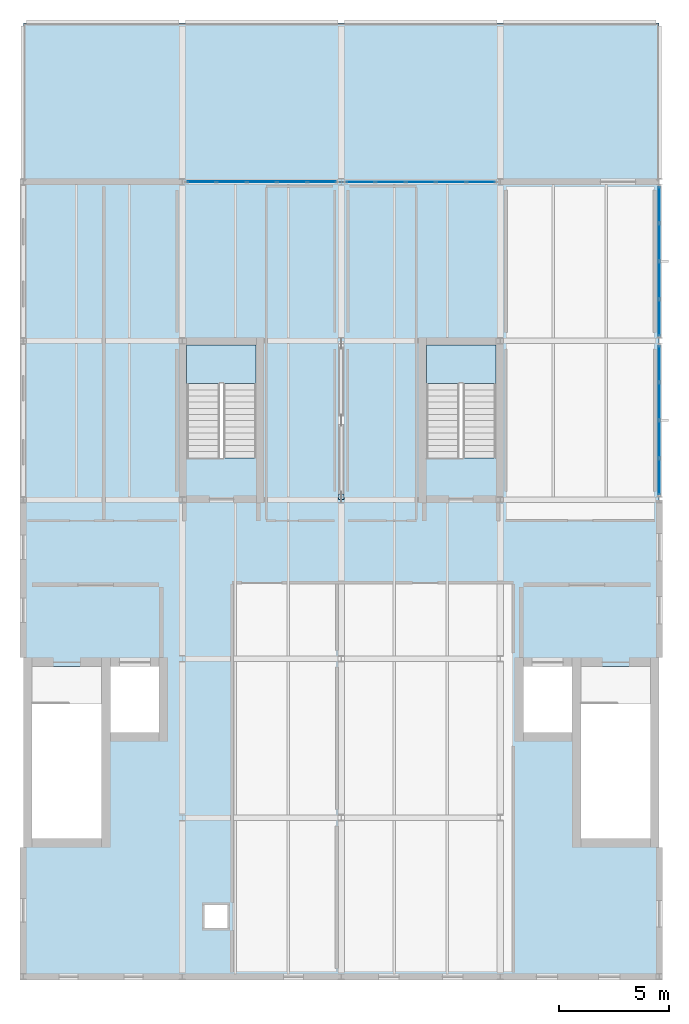
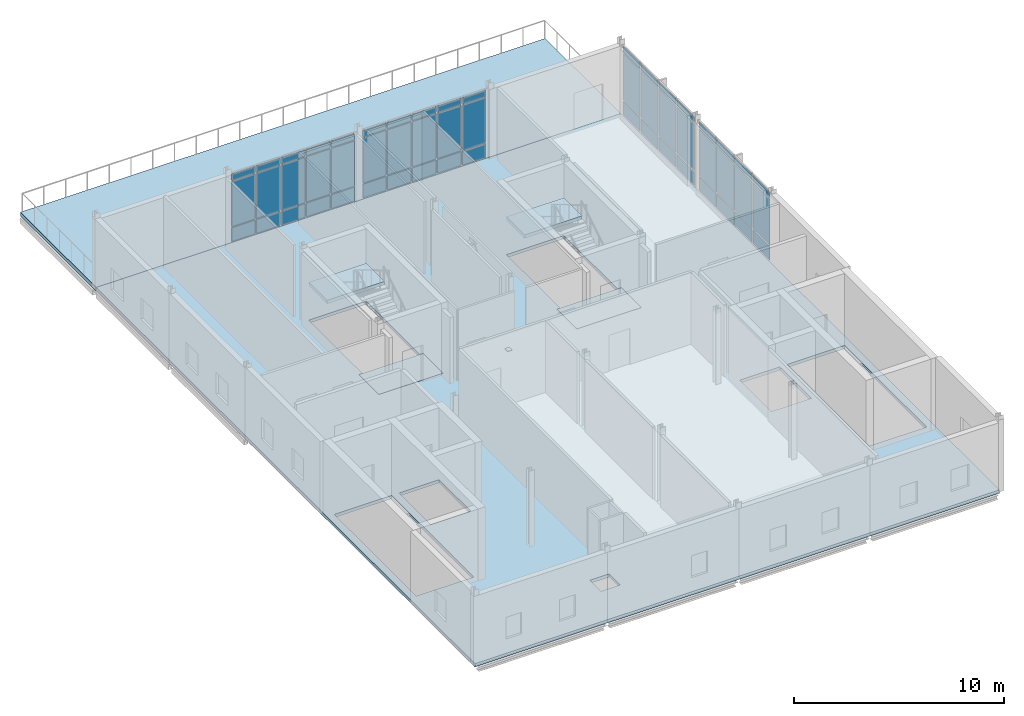
# One storey, part 6 of 12: 55 plates, 6 slabs, 6 elements without a shape of their own.
"""IFC4 building model written with IfcOpenShell, lengths in metres."""

from ifc_helpers import new_model, si_unit, direction, frame, origin, origin_2d, place, context, subcontext, project, spatial, polyline, rectangle, outline, extrude, material, layer, layer_set, type_object, element, aggregate, save


model = new_model("IFC4")

# Units and contexts
model_context = context("Model", 3, precision=1e-05, world=origin(), true_north=direction((0.0, 1.0)))
body_context = subcontext(model_context, "Body", "Model", "MODEL_VIEW")
ifc_project = project(units=[si_unit("LENGTHUNIT", "METRE"), si_unit("AREAUNIT", "SQUARE_METRE"), si_unit("VOLUMEUNIT", "CUBIC_METRE"), si_unit("PLANEANGLEUNIT", "RADIAN"), si_unit("MASSUNIT", "GRAM", prefix="KILO")], contexts=[model_context])

# Site, building, storey
site_placement = place(None, origin())
site = spatial("IfcSite", under=ifc_project, at=site_placement, CompositionType="ELEMENT")
building_placement = place(site_placement, origin())
building = spatial("IfcBuilding", under=site, at=building_placement, Name="Zarrinpeak Specialist Clinic", CompositionType="ELEMENT")
storey_placement = place(building_placement, frame((0.0, 0.0, 27.199951171875)))
storey = spatial("IfcBuildingStorey", under=building, at=storey_placement, Name="L06", CompositionType="ELEMENT", Elevation=27.199951171875)

# Curtain wall, plates
ifc_material_1 = material(Name="Anodised Aluminium Alloy 6063-T6", Category="aluminium")
ifc_layer_1 = layer(ifc_material_1, 0.1650390625)
ifc_layer_set_1 = layer_set([ifc_layer_1], Name="Anodised Aluminium Alloy 6063-T6")
curtain_wall_type_1 = type_object("IfcCurtainWallType", Name="CW-CLINIC", PredefinedType="NOTDEFINED", material=ifc_layer_set_1)
curtain_wall_1_placement = place(storey_placement, origin())
curtain_wall_1 = element("IfcCurtainWall", 1, at=curtain_wall_1_placement, inside=storey, type_object=curtain_wall_type_1, Name="L06 V1 Unitised Curtain Wall CW-L06-V1-037", PredefinedType="NOTDEFINED")
ifc_material_2 = material(Name="Double Low-E Insulated Glazing", Category="glass")
ifc_layer_2 = layer(ifc_material_2, 0.028076171875)
ifc_layer_set_2 = layer_set([ifc_layer_2], Name="Double Low-E Insulated Glazing")
plate_type_1 = type_object("IfcPlateType", Name="CWP-GLZ28", PredefinedType="CURTAIN_PANEL", material=ifc_layer_set_2)
plate_1_placement = place(storey_placement, frame((20.729248046875, 36.0, 0.074951171875), z_axis=(0.0, 0.0, 1.0), x_axis=(-1.0, 0.0, 0.0)))
plate_1 = element("IfcPlate", 2, at=plate_1_placement, type_object=plate_type_1, Name="CW-03 panel 1.1", PredefinedType="CURTAIN_PANEL", context=body_context, shape_type="SweptSolid", body=[
    extrude(rectangle(XDim=1.261474609375, YDim=0.028076171875, at=origin_2d()), origin(), (0.0, 0.0, 1.0), 0.78759765625),
])
plate_2_placement = place(storey_placement, frame((20.729248046875, 36.0, 0.9375), z_axis=(0.0, 0.0, 1.0), x_axis=(-1.0, 0.0, 0.0)))
plate_2 = element("IfcPlate", 3, at=plate_2_placement, type_object=plate_type_1, Name="CW-03 panel 1.2", PredefinedType="CURTAIN_PANEL", context=body_context, shape_type="SweptSolid", body=[
    extrude(rectangle(XDim=1.261474609375, YDim=0.028076171875, at=origin_2d()), origin(), (0.0, 0.0, 1.0), 2.610107421875),
])
plate_3_placement = place(storey_placement, frame((20.729248046875, 36.0, 3.62255859375), z_axis=(0.0, 0.0, 1.0), x_axis=(-1.0, 0.0, 0.0)))
plate_3 = element("IfcPlate", 4, at=plate_3_placement, type_object=plate_type_1, Name="CW-03 panel 1.3", PredefinedType="CURTAIN_PANEL", context=body_context, shape_type="SweptSolid", body=[
    extrude(rectangle(XDim=1.261474609375, YDim=0.028076171875, at=origin_2d()), origin(), (0.0, 0.0, 1.0), 0.33740234375),
])
plate_4_placement = place(storey_placement, frame((19.3740234375, 36.0, 0.074951171875), z_axis=(0.0, 0.0, 1.0), x_axis=(-1.0, 0.0, 0.0)))
plate_4 = element("IfcPlate", 5, at=plate_4_placement, type_object=plate_type_1, Name="CW-03 panel 2.1", PredefinedType="CURTAIN_PANEL", context=body_context, shape_type="SweptSolid", body=[
    extrude(rectangle(XDim=1.299072265625, YDim=0.028076171875, at=origin_2d()), origin(), (0.0, 0.0, 1.0), 0.78759765625),
])
plate_5_placement = place(storey_placement, frame((19.3740234375, 36.0, 0.9375), z_axis=(0.0, 0.0, 1.0), x_axis=(-1.0, 0.0, 0.0)))
plate_5 = element("IfcPlate", 6, at=plate_5_placement, type_object=plate_type_1, Name="CW-03 panel 2.2", PredefinedType="CURTAIN_PANEL", context=body_context, shape_type="SweptSolid", body=[
    extrude(rectangle(XDim=1.299072265625, YDim=0.028076171875, at=origin_2d()), origin(), (0.0, 0.0, 1.0), 2.610107421875),
])
plate_6_placement = place(storey_placement, frame((19.3740234375, 36.0, 3.62255859375), z_axis=(0.0, 0.0, 1.0), x_axis=(-1.0, 0.0, 0.0)))
plate_6 = element("IfcPlate", 7, at=plate_6_placement, type_object=plate_type_1, Name="CW-03 panel 2.3", PredefinedType="CURTAIN_PANEL", context=body_context, shape_type="SweptSolid", body=[
    extrude(rectangle(XDim=1.299072265625, YDim=0.028076171875, at=origin_2d()), origin(), (0.0, 0.0, 1.0), 0.33740234375),
])
plate_7_placement = place(storey_placement, frame((18.0, 36.0, 0.074951171875), z_axis=(0.0, 0.0, 1.0), x_axis=(-1.0, 0.0, 0.0)))
plate_7 = element("IfcPlate", 8, at=plate_7_placement, type_object=plate_type_1, Name="CW-03 panel 3.1", PredefinedType="CURTAIN_PANEL", context=body_context, shape_type="SweptSolid", body=[
    extrude(rectangle(XDim=1.299072265625, YDim=0.028076171875, at=origin_2d()), origin(), (0.0, 0.0, 1.0), 0.78759765625),
])
plate_8_placement = place(storey_placement, frame((18.0, 36.0, 0.9375), z_axis=(0.0, 0.0, 1.0), x_axis=(-1.0, 0.0, 0.0)))
plate_8 = element("IfcPlate", 9, at=plate_8_placement, type_object=plate_type_1, Name="CW-03 panel 3.2", PredefinedType="CURTAIN_PANEL", context=body_context, shape_type="SweptSolid", body=[
    extrude(rectangle(XDim=1.299072265625, YDim=0.028076171875, at=origin_2d()), origin(), (0.0, 0.0, 1.0), 2.610107421875),
])
plate_9_placement = place(storey_placement, frame((18.0, 36.0, 3.62255859375), z_axis=(0.0, 0.0, 1.0), x_axis=(-1.0, 0.0, 0.0)))
plate_9 = element("IfcPlate", 10, at=plate_9_placement, type_object=plate_type_1, Name="CW-03 panel 3.3", PredefinedType="CURTAIN_PANEL", context=body_context, shape_type="SweptSolid", body=[
    extrude(rectangle(XDim=1.299072265625, YDim=0.028076171875, at=origin_2d()), origin(), (0.0, 0.0, 1.0), 0.33740234375),
])
plate_10_placement = place(storey_placement, frame((16.6259765625, 36.0, 0.074951171875), z_axis=(0.0, 0.0, 1.0), x_axis=(-1.0, 0.0, 0.0)))
plate_10 = element("IfcPlate", 11, at=plate_10_placement, type_object=plate_type_1, Name="CW-03 panel 4.1", PredefinedType="CURTAIN_PANEL", context=body_context, shape_type="SweptSolid", body=[
    extrude(rectangle(XDim=1.299072265625, YDim=0.028076171875, at=origin_2d()), origin(), (0.0, 0.0, 1.0), 0.78759765625),
])
plate_11_placement = place(storey_placement, frame((16.6259765625, 36.0, 0.9375), z_axis=(0.0, 0.0, 1.0), x_axis=(-1.0, 0.0, 0.0)))
plate_11 = element("IfcPlate", 12, at=plate_11_placement, type_object=plate_type_1, Name="CW-03 panel 4.2", PredefinedType="CURTAIN_PANEL", context=body_context, shape_type="SweptSolid", body=[
    extrude(rectangle(XDim=1.299072265625, YDim=0.028076171875, at=origin_2d()), origin(), (0.0, 0.0, 1.0), 2.610107421875),
])
plate_12_placement = place(storey_placement, frame((16.6259765625, 36.0, 3.62255859375), z_axis=(0.0, 0.0, 1.0), x_axis=(-1.0, 0.0, 0.0)))
plate_12 = element("IfcPlate", 13, at=plate_12_placement, type_object=plate_type_1, Name="CW-03 panel 4.3", PredefinedType="CURTAIN_PANEL", context=body_context, shape_type="SweptSolid", body=[
    extrude(rectangle(XDim=1.299072265625, YDim=0.028076171875, at=origin_2d()), origin(), (0.0, 0.0, 1.0), 0.33740234375),
])
plate_13_placement = place(storey_placement, frame((15.270751953125, 36.0, 0.074951171875), z_axis=(0.0, 0.0, 1.0), x_axis=(-1.0, 0.0, 0.0)))
plate_13 = element("IfcPlate", 14, at=plate_13_placement, type_object=plate_type_1, Name="CW-03 panel 5.1", PredefinedType="CURTAIN_PANEL", context=body_context, shape_type="SweptSolid", body=[
    extrude(rectangle(XDim=1.261474609375, YDim=0.028076171875, at=origin_2d()), origin(), (0.0, 0.0, 1.0), 0.78759765625),
])
plate_14_placement = place(storey_placement, frame((15.270751953125, 36.0, 0.9375), z_axis=(0.0, 0.0, 1.0), x_axis=(-1.0, 0.0, 0.0)))
plate_14 = element("IfcPlate", 15, at=plate_14_placement, type_object=plate_type_1, Name="CW-03 panel 5.2", PredefinedType="CURTAIN_PANEL", context=body_context, shape_type="SweptSolid", body=[
    extrude(rectangle(XDim=1.261474609375, YDim=0.028076171875, at=origin_2d()), origin(), (0.0, 0.0, 1.0), 2.610107421875),
])
plate_15_placement = place(storey_placement, frame((15.270751953125, 36.0, 3.62255859375), z_axis=(0.0, 0.0, 1.0), x_axis=(-1.0, 0.0, 0.0)))
plate_15 = element("IfcPlate", 16, at=plate_15_placement, type_object=plate_type_1, Name="CW-03 panel 5.3", PredefinedType="CURTAIN_PANEL", context=body_context, shape_type="SweptSolid", body=[
    extrude(rectangle(XDim=1.261474609375, YDim=0.028076171875, at=origin_2d()), origin(), (0.0, 0.0, 1.0), 0.33740234375),
])
aggregate(curtain_wall_1, [plate_1, plate_2, plate_3, plate_4, plate_5, plate_6, plate_7, plate_8, plate_9, plate_10, plate_11, plate_12, plate_13, plate_14, plate_15])

ifc_layer_3 = layer(ifc_material_1, 0.179931640625)
ifc_layer_set_3 = layer_set([ifc_layer_3], Name="Anodised Aluminium Alloy 6063-T6")
curtain_wall_type_2 = type_object("IfcCurtainWallType", Name="CW-COURT", PredefinedType="NOTDEFINED", material=ifc_layer_set_3)
curtain_wall_2_placement = place(storey_placement, origin())
curtain_wall_2 = element("IfcCurtainWall", 17, at=curtain_wall_2_placement, inside=storey, type_object=curtain_wall_type_2, Name="L06 V1 Unitised Curtain Wall CW-L06-V1-038", PredefinedType="NOTDEFINED")
plate_16_placement = place(storey_placement, frame((28.800048828125, 22.642578125, 0.074951171875), z_axis=(0.0, 0.0, 1.0), x_axis=(0.0, 1.0, 0.0)))
plate_16 = element("IfcPlate", 18, at=plate_16_placement, type_object=plate_type_1, Name="CW-01 panel 1.1", PredefinedType="CURTAIN_PANEL", context=body_context, shape_type="SweptSolid", body=[
    extrude(rectangle(XDim=1.60498046875, YDim=0.028076171875, at=origin_2d()), origin(), (0.0, 0.0, 1.0), 0.78759765625),
])
plate_17_placement = place(storey_placement, frame((28.800048828125, 22.642578125, 0.9375), z_axis=(0.0, 0.0, 1.0), x_axis=(0.0, 1.0, 0.0)))
plate_17 = element("IfcPlate", 19, at=plate_17_placement, type_object=plate_type_1, Name="CW-01 panel 1.2", PredefinedType="CURTAIN_PANEL", context=body_context, shape_type="SweptSolid", body=[
    extrude(rectangle(XDim=1.60498046875, YDim=0.028076171875, at=origin_2d()), origin(), (0.0, 0.0, 1.0), 2.68505859375),
])
plate_18_placement = place(storey_placement, frame((28.800048828125, 22.642578125, 3.697509765625), z_axis=(0.0, 0.0, 1.0), x_axis=(0.0, 1.0, 0.0)))
plate_18 = element("IfcPlate", 20, at=plate_18_placement, type_object=plate_type_1, Name="CW-01 panel 1.3", PredefinedType="CURTAIN_PANEL", context=body_context, shape_type="SweptSolid", body=[
    extrude(rectangle(XDim=1.60498046875, YDim=0.028076171875, at=origin_2d()), origin(), (0.0, 0.0, 1.0), 0.33740234375),
])
plate_19_placement = place(storey_placement, frame((28.800048828125, 24.34130859375, 0.074951171875), z_axis=(0.0, 0.0, 1.0), x_axis=(0.0, 1.0, 0.0)))
plate_19 = element("IfcPlate", 21, at=plate_19_placement, type_object=plate_type_1, Name="CW-01 panel 2.1", PredefinedType="CURTAIN_PANEL", context=body_context, shape_type="SweptSolid", body=[
    extrude(rectangle(XDim=1.642578125, YDim=0.028076171875, at=origin_2d()), origin(), (0.0, 0.0, 1.0), 0.78759765625),
])
plate_20_placement = place(storey_placement, frame((28.800048828125, 24.34130859375, 0.9375), z_axis=(0.0, 0.0, 1.0), x_axis=(0.0, 1.0, 0.0)))
plate_20 = element("IfcPlate", 22, at=plate_20_placement, type_object=plate_type_1, Name="CW-01 panel 2.2", PredefinedType="CURTAIN_PANEL", context=body_context, shape_type="SweptSolid", body=[
    extrude(rectangle(XDim=1.642578125, YDim=0.028076171875, at=origin_2d()), origin(), (0.0, 0.0, 1.0), 2.68505859375),
])
plate_21_placement = place(storey_placement, frame((28.800048828125, 24.34130859375, 3.697509765625), z_axis=(0.0, 0.0, 1.0), x_axis=(0.0, 1.0, 0.0)))
plate_21 = element("IfcPlate", 23, at=plate_21_placement, type_object=plate_type_1, Name="CW-01 panel 2.3", PredefinedType="CURTAIN_PANEL", context=body_context, shape_type="SweptSolid", body=[
    extrude(rectangle(XDim=1.642578125, YDim=0.028076171875, at=origin_2d()), origin(), (0.0, 0.0, 1.0), 0.33740234375),
])
plate_22_placement = place(storey_placement, frame((28.800048828125, 26.058837890625, 0.074951171875), z_axis=(0.0, 0.0, 1.0), x_axis=(0.0, 1.0, 0.0)))
plate_22 = element("IfcPlate", 24, at=plate_22_placement, type_object=plate_type_1, Name="CW-01 panel 3.1", PredefinedType="CURTAIN_PANEL", context=body_context, shape_type="SweptSolid", body=[
    extrude(rectangle(XDim=1.642578125, YDim=0.028076171875, at=origin_2d()), origin(), (0.0, 0.0, 1.0), 0.78759765625),
])
plate_23_placement = place(storey_placement, frame((28.800048828125, 26.058837890625, 0.9375), z_axis=(0.0, 0.0, 1.0), x_axis=(0.0, 1.0, 0.0)))
plate_23 = element("IfcPlate", 25, at=plate_23_placement, type_object=plate_type_1, Name="CW-01 panel 3.2", PredefinedType="CURTAIN_PANEL", context=body_context, shape_type="SweptSolid", body=[
    extrude(rectangle(XDim=1.642578125, YDim=0.028076171875, at=origin_2d()), origin(), (0.0, 0.0, 1.0), 2.68505859375),
])
plate_24_placement = place(storey_placement, frame((28.800048828125, 26.058837890625, 3.697509765625), z_axis=(0.0, 0.0, 1.0), x_axis=(0.0, 1.0, 0.0)))
plate_24 = element("IfcPlate", 26, at=plate_24_placement, type_object=plate_type_1, Name="CW-01 panel 3.3", PredefinedType="CURTAIN_PANEL", context=body_context, shape_type="SweptSolid", body=[
    extrude(rectangle(XDim=1.642578125, YDim=0.028076171875, at=origin_2d()), origin(), (0.0, 0.0, 1.0), 0.33740234375),
])
plate_25_placement = place(storey_placement, frame((28.800048828125, 27.757568359375, 0.074951171875), z_axis=(0.0, 0.0, 1.0), x_axis=(0.0, 1.0, 0.0)))
plate_25 = element("IfcPlate", 27, at=plate_25_placement, type_object=plate_type_1, Name="CW-01 panel 4.1", PredefinedType="CURTAIN_PANEL", context=body_context, shape_type="SweptSolid", body=[
    extrude(rectangle(XDim=1.60498046875, YDim=0.028076171875, at=origin_2d()), origin(), (0.0, 0.0, 1.0), 0.78759765625),
])
plate_26_placement = place(storey_placement, frame((28.800048828125, 27.757568359375, 0.9375), z_axis=(0.0, 0.0, 1.0), x_axis=(0.0, 1.0, 0.0)))
plate_26 = element("IfcPlate", 28, at=plate_26_placement, type_object=plate_type_1, Name="CW-01 panel 4.2", PredefinedType="CURTAIN_PANEL", context=body_context, shape_type="SweptSolid", body=[
    extrude(rectangle(XDim=1.60498046875, YDim=0.028076171875, at=origin_2d()), origin(), (0.0, 0.0, 1.0), 2.68505859375),
])
plate_27_placement = place(storey_placement, frame((28.800048828125, 27.757568359375, 3.697509765625), z_axis=(0.0, 0.0, 1.0), x_axis=(0.0, 1.0, 0.0)))
plate_27 = element("IfcPlate", 29, at=plate_27_placement, type_object=plate_type_1, Name="CW-01 panel 4.3", PredefinedType="CURTAIN_PANEL", context=body_context, shape_type="SweptSolid", body=[
    extrude(rectangle(XDim=1.60498046875, YDim=0.028076171875, at=origin_2d()), origin(), (0.0, 0.0, 1.0), 0.33740234375),
])
aggregate(curtain_wall_2, [plate_16, plate_17, plate_18, plate_19, plate_20, plate_21, plate_22, plate_23, plate_24, plate_25, plate_26, plate_27])

curtain_wall_3_placement = place(storey_placement, origin())
curtain_wall_3 = element("IfcCurtainWall", 30, at=curtain_wall_3_placement, inside=storey, type_object=curtain_wall_type_2, Name="L06 V1 Unitised Curtain Wall CW-L06-V1-039", PredefinedType="NOTDEFINED")
plate_28_placement = place(storey_placement, frame((28.800048828125, 29.842529296875, 0.074951171875), z_axis=(0.0, 0.0, 1.0), x_axis=(0.0, 1.0, 0.0)))
plate_28 = element("IfcPlate", 31, at=plate_28_placement, type_object=plate_type_1, Name="CW-01 panel 1.1", PredefinedType="CURTAIN_PANEL", context=body_context, shape_type="SweptSolid", body=[
    extrude(rectangle(XDim=1.60498046875, YDim=0.028076171875, at=origin_2d()), origin(), (0.0, 0.0, 1.0), 0.78759765625),
])
plate_29_placement = place(storey_placement, frame((28.800048828125, 29.842529296875, 0.9375), z_axis=(0.0, 0.0, 1.0), x_axis=(0.0, 1.0, 0.0)))
plate_29 = element("IfcPlate", 32, at=plate_29_placement, type_object=plate_type_1, Name="CW-01 panel 1.2", PredefinedType="CURTAIN_PANEL", context=body_context, shape_type="SweptSolid", body=[
    extrude(rectangle(XDim=1.60498046875, YDim=0.028076171875, at=origin_2d()), origin(), (0.0, 0.0, 1.0), 2.68505859375),
])
plate_30_placement = place(storey_placement, frame((28.800048828125, 29.842529296875, 3.697509765625), z_axis=(0.0, 0.0, 1.0), x_axis=(0.0, 1.0, 0.0)))
plate_30 = element("IfcPlate", 33, at=plate_30_placement, type_object=plate_type_1, Name="CW-01 panel 1.3", PredefinedType="CURTAIN_PANEL", context=body_context, shape_type="SweptSolid", body=[
    extrude(rectangle(XDim=1.60498046875, YDim=0.028076171875, at=origin_2d()), origin(), (0.0, 0.0, 1.0), 0.33740234375),
])
plate_31_placement = place(storey_placement, frame((28.800048828125, 31.541259765625, 0.074951171875), z_axis=(0.0, 0.0, 1.0), x_axis=(0.0, 1.0, 0.0)))
plate_31 = element("IfcPlate", 34, at=plate_31_placement, type_object=plate_type_1, Name="CW-01 panel 2.1", PredefinedType="CURTAIN_PANEL", context=body_context, shape_type="SweptSolid", body=[
    extrude(rectangle(XDim=1.642578125, YDim=0.028076171875, at=origin_2d()), origin(), (0.0, 0.0, 1.0), 0.78759765625),
])
plate_32_placement = place(storey_placement, frame((28.800048828125, 31.541259765625, 0.9375), z_axis=(0.0, 0.0, 1.0), x_axis=(0.0, 1.0, 0.0)))
plate_32 = element("IfcPlate", 35, at=plate_32_placement, type_object=plate_type_1, Name="CW-01 panel 2.2", PredefinedType="CURTAIN_PANEL", context=body_context, shape_type="SweptSolid", body=[
    extrude(rectangle(XDim=1.642578125, YDim=0.028076171875, at=origin_2d()), origin(), (0.0, 0.0, 1.0), 2.68505859375),
])
plate_33_placement = place(storey_placement, frame((28.800048828125, 31.541259765625, 3.697509765625), z_axis=(0.0, 0.0, 1.0), x_axis=(0.0, 1.0, 0.0)))
plate_33 = element("IfcPlate", 36, at=plate_33_placement, type_object=plate_type_1, Name="CW-01 panel 2.3", PredefinedType="CURTAIN_PANEL", context=body_context, shape_type="SweptSolid", body=[
    extrude(rectangle(XDim=1.642578125, YDim=0.028076171875, at=origin_2d()), origin(), (0.0, 0.0, 1.0), 0.33740234375),
])
plate_34_placement = place(storey_placement, frame((28.800048828125, 33.2587890625, 0.074951171875), z_axis=(0.0, 0.0, 1.0), x_axis=(0.0, 1.0, 0.0)))
plate_34 = element("IfcPlate", 37, at=plate_34_placement, type_object=plate_type_1, Name="CW-01 panel 3.1", PredefinedType="CURTAIN_PANEL", context=body_context, shape_type="SweptSolid", body=[
    extrude(rectangle(XDim=1.642578125, YDim=0.028076171875, at=origin_2d()), origin(), (0.0, 0.0, 1.0), 0.78759765625),
])
plate_35_placement = place(storey_placement, frame((28.800048828125, 33.2587890625, 0.9375), z_axis=(0.0, 0.0, 1.0), x_axis=(0.0, 1.0, 0.0)))
plate_35 = element("IfcPlate", 38, at=plate_35_placement, type_object=plate_type_1, Name="CW-01 panel 3.2", PredefinedType="CURTAIN_PANEL", context=body_context, shape_type="SweptSolid", body=[
    extrude(rectangle(XDim=1.642578125, YDim=0.028076171875, at=origin_2d()), origin(), (0.0, 0.0, 1.0), 2.68505859375),
])
plate_36_placement = place(storey_placement, frame((28.800048828125, 33.2587890625, 3.697509765625), z_axis=(0.0, 0.0, 1.0), x_axis=(0.0, 1.0, 0.0)))
plate_36 = element("IfcPlate", 39, at=plate_36_placement, type_object=plate_type_1, Name="CW-01 panel 3.3", PredefinedType="CURTAIN_PANEL", context=body_context, shape_type="SweptSolid", body=[
    extrude(rectangle(XDim=1.642578125, YDim=0.028076171875, at=origin_2d()), origin(), (0.0, 0.0, 1.0), 0.33740234375),
])
plate_37_placement = place(storey_placement, frame((28.800048828125, 34.95751953125, 0.074951171875), z_axis=(0.0, 0.0, 1.0), x_axis=(0.0, 1.0, 0.0)))
plate_37 = element("IfcPlate", 40, at=plate_37_placement, type_object=plate_type_1, Name="CW-01 panel 4.1", PredefinedType="CURTAIN_PANEL", context=body_context, shape_type="SweptSolid", body=[
    extrude(rectangle(XDim=1.60498046875, YDim=0.028076171875, at=origin_2d()), origin(), (0.0, 0.0, 1.0), 0.78759765625),
])
plate_38_placement = place(storey_placement, frame((28.800048828125, 34.95751953125, 0.9375), z_axis=(0.0, 0.0, 1.0), x_axis=(0.0, 1.0, 0.0)))
plate_38 = element("IfcPlate", 41, at=plate_38_placement, type_object=plate_type_1, Name="CW-01 panel 4.2", PredefinedType="CURTAIN_PANEL", context=body_context, shape_type="SweptSolid", body=[
    extrude(rectangle(XDim=1.60498046875, YDim=0.028076171875, at=origin_2d()), origin(), (0.0, 0.0, 1.0), 2.68505859375),
])
plate_39_placement = place(storey_placement, frame((28.800048828125, 34.95751953125, 3.697509765625), z_axis=(0.0, 0.0, 1.0), x_axis=(0.0, 1.0, 0.0)))
plate_39 = element("IfcPlate", 42, at=plate_39_placement, type_object=plate_type_1, Name="CW-01 panel 4.3", PredefinedType="CURTAIN_PANEL", context=body_context, shape_type="SweptSolid", body=[
    extrude(rectangle(XDim=1.60498046875, YDim=0.028076171875, at=origin_2d()), origin(), (0.0, 0.0, 1.0), 0.33740234375),
])
aggregate(curtain_wall_3, [plate_28, plate_29, plate_30, plate_31, plate_32, plate_33, plate_34, plate_35, plate_36, plate_37, plate_38, plate_39])

curtain_wall_4_placement = place(storey_placement, origin())
curtain_wall_4 = element("IfcCurtainWall", 43, at=curtain_wall_4_placement, inside=storey, type_object=curtain_wall_type_1, Name="L06 V1 Unitised Curtain Wall CW-L06-V1-036", PredefinedType="NOTDEFINED")
ifc_material_3 = material(Name="Insulated Aluminium Spandrel Panel", Category="aluminium")
ifc_layer_4 = layer(ifc_material_3, 0.044921875)
ifc_layer_set_4 = layer_set([ifc_layer_4], Name="Insulated Aluminium Spandrel Panel")
plate_type_2 = type_object("IfcPlateType", Name="CWP-SPN45", PredefinedType="CURTAIN_PANEL", material=ifc_layer_set_4)
plate_40_placement = place(storey_placement, frame((13.529296875, 36.0, 0.074951171875), z_axis=(0.0, 0.0, 1.0), x_axis=(-1.0, 0.0, 0.0)))
plate_40 = element("IfcPlate", 44, at=plate_40_placement, type_object=plate_type_2, Name="CW-03 panel 1.1", PredefinedType="CURTAIN_PANEL", context=body_context, shape_type="SweptSolid", body=[
    extrude(rectangle(XDim=1.261474609375, YDim=0.044921875, at=origin_2d()), origin(), (0.0, 0.0, 1.0), 0.78759765625),
])
plate_41_placement = place(storey_placement, frame((13.529296875, 36.0, 0.9375), z_axis=(0.0, 0.0, 1.0), x_axis=(-1.0, 0.0, 0.0)))
plate_41 = element("IfcPlate", 45, at=plate_41_placement, type_object=plate_type_2, Name="CW-03 panel 1.2", PredefinedType="CURTAIN_PANEL", context=body_context, shape_type="SweptSolid", body=[
    extrude(rectangle(XDim=1.261474609375, YDim=0.044921875, at=origin_2d()), origin(), (0.0, 0.0, 1.0), 2.610107421875),
])
plate_42_placement = place(storey_placement, frame((13.529296875, 36.0, 3.62255859375), z_axis=(0.0, 0.0, 1.0), x_axis=(-1.0, 0.0, 0.0)))
plate_42 = element("IfcPlate", 46, at=plate_42_placement, type_object=plate_type_2, Name="CW-03 panel 1.3", PredefinedType="CURTAIN_PANEL", context=body_context, shape_type="SweptSolid", body=[
    extrude(rectangle(XDim=1.261474609375, YDim=0.044921875, at=origin_2d()), origin(), (0.0, 0.0, 1.0), 0.33740234375),
])
plate_43_placement = place(storey_placement, frame((12.174072265625, 36.0, 0.074951171875), z_axis=(0.0, 0.0, 1.0), x_axis=(-1.0, 0.0, 0.0)))
plate_43 = element("IfcPlate", 47, at=plate_43_placement, type_object=plate_type_2, Name="CW-03 panel 2.1", PredefinedType="CURTAIN_PANEL", context=body_context, shape_type="SweptSolid", body=[
    extrude(rectangle(XDim=1.299072265625, YDim=0.044921875, at=origin_2d()), origin(), (0.0, 0.0, 1.0), 0.78759765625),
])
plate_44_placement = place(storey_placement, frame((12.174072265625, 36.0, 0.9375), z_axis=(0.0, 0.0, 1.0), x_axis=(-1.0, 0.0, 0.0)))
plate_44 = element("IfcPlate", 48, at=plate_44_placement, type_object=plate_type_2, Name="CW-03 panel 2.2", PredefinedType="CURTAIN_PANEL", context=body_context, shape_type="SweptSolid", body=[
    extrude(rectangle(XDim=1.299072265625, YDim=0.044921875, at=origin_2d()), origin(), (0.0, 0.0, 1.0), 2.610107421875),
])
plate_45_placement = place(storey_placement, frame((12.174072265625, 36.0, 3.62255859375), z_axis=(0.0, 0.0, 1.0), x_axis=(-1.0, 0.0, 0.0)))
plate_45 = element("IfcPlate", 49, at=plate_45_placement, type_object=plate_type_2, Name="CW-03 panel 2.3", PredefinedType="CURTAIN_PANEL", context=body_context, shape_type="SweptSolid", body=[
    extrude(rectangle(XDim=1.299072265625, YDim=0.044921875, at=origin_2d()), origin(), (0.0, 0.0, 1.0), 0.33740234375),
])
plate_46_placement = place(storey_placement, frame((10.800048828125, 36.0, 0.074951171875), z_axis=(0.0, 0.0, 1.0), x_axis=(-1.0, 0.0, 0.0)))
plate_46 = element("IfcPlate", 50, at=plate_46_placement, type_object=plate_type_2, Name="CW-03 panel 3.1", PredefinedType="CURTAIN_PANEL", context=body_context, shape_type="SweptSolid", body=[
    extrude(rectangle(XDim=1.299072265625, YDim=0.044921875, at=origin_2d()), origin(), (0.0, 0.0, 1.0), 0.78759765625),
])
plate_47_placement = place(storey_placement, frame((10.800048828125, 36.0, 0.9375), z_axis=(0.0, 0.0, 1.0), x_axis=(-1.0, 0.0, 0.0)))
plate_47 = element("IfcPlate", 51, at=plate_47_placement, type_object=plate_type_2, Name="CW-03 panel 3.2", PredefinedType="CURTAIN_PANEL", context=body_context, shape_type="SweptSolid", body=[
    extrude(rectangle(XDim=1.299072265625, YDim=0.044921875, at=origin_2d()), origin(), (0.0, 0.0, 1.0), 2.610107421875),
])
plate_48_placement = place(storey_placement, frame((10.800048828125, 36.0, 3.62255859375), z_axis=(0.0, 0.0, 1.0), x_axis=(-1.0, 0.0, 0.0)))
plate_48 = element("IfcPlate", 52, at=plate_48_placement, type_object=plate_type_2, Name="CW-03 panel 3.3", PredefinedType="CURTAIN_PANEL", context=body_context, shape_type="SweptSolid", body=[
    extrude(rectangle(XDim=1.299072265625, YDim=0.044921875, at=origin_2d()), origin(), (0.0, 0.0, 1.0), 0.33740234375),
])
plate_49_placement = place(storey_placement, frame((9.426025390625, 36.0, 0.074951171875), z_axis=(0.0, 0.0, 1.0), x_axis=(-1.0, 0.0, 0.0)))
plate_49 = element("IfcPlate", 53, at=plate_49_placement, type_object=plate_type_2, Name="CW-03 panel 4.1", PredefinedType="CURTAIN_PANEL", context=body_context, shape_type="SweptSolid", body=[
    extrude(rectangle(XDim=1.299072265625, YDim=0.044921875, at=origin_2d()), origin(), (0.0, 0.0, 1.0), 0.78759765625),
])
plate_50_placement = place(storey_placement, frame((9.426025390625, 36.0, 0.9375), z_axis=(0.0, 0.0, 1.0), x_axis=(-1.0, 0.0, 0.0)))
plate_50 = element("IfcPlate", 54, at=plate_50_placement, type_object=plate_type_2, Name="CW-03 panel 4.2", PredefinedType="CURTAIN_PANEL", context=body_context, shape_type="SweptSolid", body=[
    extrude(rectangle(XDim=1.299072265625, YDim=0.044921875, at=origin_2d()), origin(), (0.0, 0.0, 1.0), 2.610107421875),
])
plate_51_placement = place(storey_placement, frame((9.426025390625, 36.0, 3.62255859375), z_axis=(0.0, 0.0, 1.0), x_axis=(-1.0, 0.0, 0.0)))
plate_51 = element("IfcPlate", 55, at=plate_51_placement, type_object=plate_type_2, Name="CW-03 panel 4.3", PredefinedType="CURTAIN_PANEL", context=body_context, shape_type="SweptSolid", body=[
    extrude(rectangle(XDim=1.299072265625, YDim=0.044921875, at=origin_2d()), origin(), (0.0, 0.0, 1.0), 0.33740234375),
])
plate_52_placement = place(storey_placement, frame((8.07080078125, 36.0, 0.074951171875), z_axis=(0.0, 0.0, 1.0), x_axis=(-1.0, 0.0, 0.0)))
plate_52 = element("IfcPlate", 56, at=plate_52_placement, type_object=plate_type_2, Name="CW-03 panel 5.1", PredefinedType="CURTAIN_PANEL", context=body_context, shape_type="SweptSolid", body=[
    extrude(rectangle(XDim=1.261474609375, YDim=0.044921875, at=origin_2d()), origin(), (0.0, 0.0, 1.0), 0.78759765625),
])
plate_53_placement = place(storey_placement, frame((8.07080078125, 36.0, 0.9375), z_axis=(0.0, 0.0, 1.0), x_axis=(-1.0, 0.0, 0.0)))
plate_53 = element("IfcPlate", 57, at=plate_53_placement, type_object=plate_type_2, Name="CW-03 panel 5.2", PredefinedType="CURTAIN_PANEL", context=body_context, shape_type="SweptSolid", body=[
    extrude(rectangle(XDim=1.261474609375, YDim=0.044921875, at=origin_2d()), origin(), (0.0, 0.0, 1.0), 2.610107421875),
])
plate_54_placement = place(storey_placement, frame((8.07080078125, 36.0, 3.62255859375), z_axis=(0.0, 0.0, 1.0), x_axis=(-1.0, 0.0, 0.0)))
plate_54 = element("IfcPlate", 58, at=plate_54_placement, type_object=plate_type_2, Name="CW-03 panel 5.3", PredefinedType="CURTAIN_PANEL", context=body_context, shape_type="SweptSolid", body=[
    extrude(rectangle(XDim=1.261474609375, YDim=0.044921875, at=origin_2d()), origin(), (0.0, 0.0, 1.0), 0.33740234375),
])
aggregate(curtain_wall_4, [plate_40, plate_41, plate_42, plate_43, plate_44, plate_45, plate_46, plate_47, plate_48, plate_49, plate_50, plate_51, plate_52, plate_53, plate_54])

# Plate
ifc_material_4 = material(Name="Steel S355", Category="steel")
ifc_layer_5 = layer(ifc_material_4, 0.01611328125)
ifc_layer_set_5 = layer_set([ifc_layer_5], Name="Steel S355")
plate_type_3 = type_object("IfcPlateType", Name="PL-CAP219", PredefinedType="SHEET", material=ifc_layer_set_5)
plate_55_placement = place(storey_placement, frame((14.39990234375, 21.739990234375, 0.0009765625), z_axis=(0.0, 0.0, 1.0), x_axis=(1.0, 0.0, 0.0)))
element("IfcPlate", 59, at=plate_55_placement, inside=storey, type_object=plate_type_3, Name="V1 L06 Hollow Brace Foot Cap Plate A", PredefinedType="SHEET", context=body_context, shape_type="SweptSolid", body=[
    extrude(rectangle(XDim=0.260009765625, YDim=0.260009765625, at=origin_2d()), origin(), (0.0, 0.0, 1.0), 0.01611328125),
])

# Slabs
ifc_material_5 = material(Name="Concrete C35/45", Category="concrete")
ifc_layer_6 = layer(ifc_material_5, 0.18505859375)
ifc_layer_set_6 = layer_set([ifc_layer_6], Name="Concrete C35/45")
slab_type_1 = type_object("IfcSlabType", Name="SL-FLR185", PredefinedType="FLOOR", material=ifc_layer_set_6)
slab_1_placement = place(storey_placement, frame((0.0, 0.0, -0.18505859375)))
element("IfcSlab", 60, at=slab_1_placement, inside=storey, type_object=slab_type_1, Name="L06 Suspended Clinical Floor Slab V1", PredefinedType="FLOOR", context=body_context, shape_type="SweptSolid", body=[
    extrude(outline(polyline([(0.0, 0.0), (28.800048828125, 0.0), (28.800048828125, 36.0), (0.0, 36.0), (0.0, 0.0)]), holes=[polyline([(0.39990234375, 6.25), (3.550048828125, 6.25), (3.550048828125, 14.050048828125), (0.39990234375, 14.050048828125), (0.39990234375, 6.25)]), polyline([(3.949951171875, 11.050048828125), (6.14990234375, 11.050048828125), (6.14990234375, 14.050048828125), (3.949951171875, 14.050048828125), (3.949951171875, 11.050048828125)]), polyline([(25.25, 6.25), (28.39990234375, 6.25), (28.39990234375, 14.050048828125), (25.25, 14.050048828125), (25.25, 6.25)]), polyline([(22.64990234375, 11.050048828125), (24.85009765625, 11.050048828125), (24.85009765625, 14.050048828125), (22.64990234375, 14.050048828125), (22.64990234375, 11.050048828125)]), polyline([(7.199951171875, 21.60009765625), (10.72998046875, 21.60009765625), (10.72998046875, 23.5), (10.550048828125, 23.5), (10.550048828125, 28.60009765625), (7.39990234375, 28.60009765625), (7.39990234375, 23.5), (7.199951171875, 23.5), (7.199951171875, 21.60009765625)]), polyline([(18.070068359375, 21.60009765625), (21.60009765625, 21.60009765625), (21.60009765625, 23.5), (21.39990234375, 23.5), (21.39990234375, 28.60009765625), (18.25, 28.60009765625), (18.25, 23.5), (18.070068359375, 23.5), (18.070068359375, 21.60009765625)]), polyline([(8.199951171875, 2.199951171875), (9.25, 2.199951171875), (9.25, 3.25), (8.199951171875, 3.25), (8.199951171875, 2.199951171875)])]), origin(), (0.0, 0.0, 1.0), 0.18505859375),
])
slab_2_placement = place(storey_placement, frame((0.0, 0.0, -0.18505859375)))
element("IfcSlab", 61, at=slab_2_placement, inside=storey, type_object=slab_type_1, Name="L06 Core ST13 Stairwell Floor Landing Slab", PredefinedType="FLOOR", context=body_context, shape_type="SweptSolid", body=[
    extrude(outline(polyline([(7.199951171875, 21.60009765625), (10.72998046875, 21.60009765625), (10.72998046875, 23.5), (7.199951171875, 23.5), (7.199951171875, 21.60009765625)])), origin(), (0.0, 0.0, 1.0), 0.18505859375),
])
slab_3_placement = place(storey_placement, frame((0.0, 0.0, -0.18505859375)))
element("IfcSlab", 62, at=slab_3_placement, inside=storey, type_object=slab_type_1, Name="L06 Core ST14 Stairwell Floor Landing Slab", PredefinedType="FLOOR", context=body_context, shape_type="SweptSolid", body=[
    extrude(outline(polyline([(18.070068359375, 21.60009765625), (21.60009765625, 21.60009765625), (21.60009765625, 23.5), (18.070068359375, 23.5), (18.070068359375, 21.60009765625)])), origin(), (0.0, 0.0, 1.0), 0.18505859375),
])

# Stair, slab
stair_type = type_object("IfcStairType", Name="ST-DOG", PredefinedType="HALF_TURN_STAIR", material=ifc_material_5)
stair_1_placement = place(storey_placement, origin())
stair_1 = element("IfcStair", 63, at=stair_1_placement, inside=storey, type_object=stair_type, Name="L06 Protected Attic Exit Stair ST-13", PredefinedType="HALF_TURN_STAIR")
ifc_layer_7 = layer(ifc_material_5, 0.199951171875)
ifc_layer_set_7 = layer_set([ifc_layer_7], Name="Concrete C35/45")
slab_type_2 = type_object("IfcSlabType", Name="SL-LAND200", PredefinedType="LANDING", material=ifc_layer_set_7)
slab_4_placement = place(storey_placement, frame((0.0, 0.0, 2.0)))
slab_4 = element("IfcSlab", 64, at=slab_4_placement, type_object=slab_type_2, Name="ST-13 landing 1", PredefinedType="LANDING", context=body_context, shape_type="SweptSolid", body=[
    extrude(outline(polyline([(10.550048828125, 26.860107421875), (10.550048828125, 28.60009765625), (7.39990234375, 28.60009765625), (7.39990234375, 26.860107421875), (10.550048828125, 26.860107421875)])), origin(), (0.0, 0.0, 1.0), 0.199951171875),
])
aggregate(stair_1, [slab_4])

stair_2_placement = place(storey_placement, origin())
stair_2 = element("IfcStair", 65, at=stair_2_placement, inside=storey, type_object=stair_type, Name="L06 Protected Attic Exit Stair ST-14", PredefinedType="HALF_TURN_STAIR")
slab_5_placement = place(storey_placement, frame((0.0, 0.0, 2.0)))
slab_5 = element("IfcSlab", 66, at=slab_5_placement, type_object=slab_type_2, Name="ST-14 landing 1", PredefinedType="LANDING", context=body_context, shape_type="SweptSolid", body=[
    extrude(outline(polyline([(21.39990234375, 26.860107421875), (21.39990234375, 28.60009765625), (18.25, 28.60009765625), (18.25, 26.860107421875), (21.39990234375, 26.860107421875)])), origin(), (0.0, 0.0, 1.0), 0.199951171875),
])
aggregate(stair_2, [slab_5])

# Slab
ifc_layer_8 = layer(ifc_material_5, 0.219970703125)
ifc_layer_set_8 = layer_set([ifc_layer_8], Name="Concrete C35/45")
slab_type_3 = type_object("IfcSlabType", Name="SL-TER220", PredefinedType="FLOOR", material=ifc_layer_set_8)
slab_6_placement = place(storey_placement, frame((0.0, 0.0, -0.219970703125)))
element("IfcSlab", 67, at=slab_6_placement, inside=storey, type_object=slab_type_3, Name="L06 Healing Roof Terrace Slab V1", PredefinedType="FLOOR", context=body_context, shape_type="SweptSolid", body=[
    extrude(outline(polyline([(0.0, 36.0), (28.800048828125, 36.0), (28.800048828125, 43.199951171875), (0.0, 43.199951171875), (0.0, 36.0)])), origin(), (0.0, 0.0, 1.0), 0.219970703125),
])

save(model, "model.ifc")
